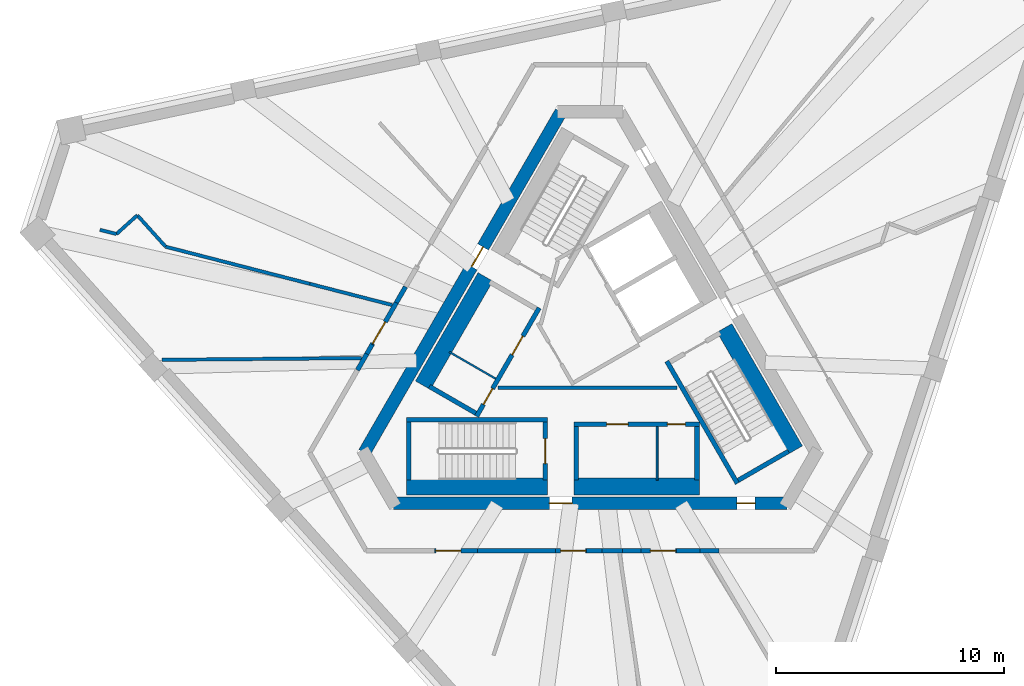
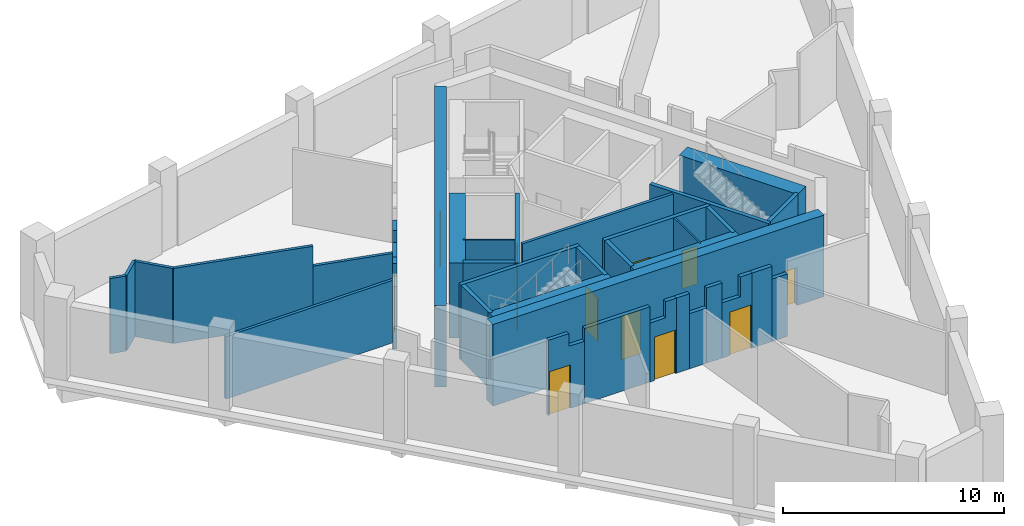
# One storey, part 2 of 5: 38 walls, 12 doors, 12 openings.
"""IFC4 building model written with IfcOpenShell, lengths in metres."""

from ifc_helpers import new_model, si_unit, direction, frame, frame_2d, origin, place, context, subcontext, project, spatial, polyline, rectangle, outline, extrude, material, layer, layer_set, type_object, element, fill, save


model = new_model("IFC4")

# Units and contexts
model_context = context("Model", 3, precision=1e-05, world=origin(), true_north=direction((0.0, 1.0)))
body_context = subcontext(model_context, "Body", "Model", "MODEL_VIEW")
ifc_project = project(units=[si_unit("LENGTHUNIT", "METRE"), si_unit("AREAUNIT", "SQUARE_METRE"), si_unit("VOLUMEUNIT", "CUBIC_METRE"), si_unit("PLANEANGLEUNIT", "RADIAN"), si_unit("MASSUNIT", "GRAM", prefix="KILO")], contexts=[model_context])

# Site, building, storey
site_placement = place(None, origin())
site = spatial("IfcSite", under=ifc_project, at=site_placement, CompositionType="ELEMENT")
building_placement = place(site_placement, origin())
building = spatial("IfcBuilding", under=site, at=building_placement, Name="Tramontana Tower", CompositionType="ELEMENT")
storey_placement = place(building_placement, frame((0.0, 0.0, 365.89990234375)))
storey = spatial("IfcBuildingStorey", under=building, at=storey_placement, Name="L84", CompositionType="ELEMENT", Elevation=365.89990234375)

# Wall, opening, door
ifc_material_1 = material(Name="Concrete 70 MPa", Category="concrete")
ifc_layer_1 = layer(ifc_material_1, 0.550048828125)
ifc_layer_set_1 = layer_set([ifc_layer_1], Name="Core wall 550 70 MPa")
wall_type_1 = type_object("IfcWallType", Name="Core wall 550 70 MPa", PredefinedType="SHEAR", material=ifc_layer_set_1)
wall_1_placement = place(storey_placement, frame((-1.28466796875, 10.72509765625, 0.0), z_axis=(0.0, 0.0, 1.0), x_axis=(-0.499994590896, -0.86602852671, 0.0)))
wall_1 = element("IfcWall", 1, at=wall_1_placement, inside=storey, type_object=wall_type_1, Name="Core wall C1 L84", PredefinedType="SHEAR", context=body_context, shape_type="SweptSolid", body=[
    extrude(rectangle(XDim=17.291748046875, YDim=0.550048828125, at=frame_2d((8.64599609375, 0.0))), origin(), (0.0, 0.0, 1.0), 4.5),
])
opening_1_placement = place(wall_1_placement, frame((6.850830078125, 0.0, 0.0)))
opening_1 = element("IfcOpeningElement", 2, at=opening_1_placement, cuts=wall_1, Name="Opening RG1", PredefinedType="OPENING", context=body_context, shape_type="SweptSolid", body=[
    extrude(rectangle(XDim=1.0, YDim=2.39990234375, at=frame_2d((0.5, 1.199951171875))), frame((0.0, 0.284912109375, 0.0), z_axis=(0.0, -1.0, 0.0), x_axis=(1.0, 0.0, 0.0)), (0.0, 0.0, 1.0), 0.570068359375),
])
ifc_material_2 = material(Name="Painted steel", Category="steel")
door_type_1 = type_object("IfcDoorType", Name="RING DOOR 1000", OperationType="SINGLE_SWING_LEFT", PredefinedType="DOOR", material=ifc_material_2)
door_1_placement = place(opening_1_placement, origin())
door_1 = element("IfcDoor", 3, at=door_1_placement, inside=storey, type_object=door_type_1, Name="Door RG1", OperationType="SINGLE_SWING_RIGHT", OverallHeight=2.39990234375, OverallWidth=1.0, PredefinedType="DOOR", context=body_context, shape_type="SweptSolid", body=[
    extrude(rectangle(XDim=1.0, YDim=2.39990234375, at=frame_2d((0.5, 1.199951171875))), frame((0.0, 0.02490234375, 0.0), z_axis=(0.0, -1.0, 0.0), x_axis=(1.0, 0.0, 0.0)), (0.0, 0.0, 1.0), 0.050048828125),
])
fill(opening_1, door_1)

# Wall, openings, doors
wall_2_placement = place(storey_placement, frame((-8.645751953125, -6.47509765625, 0.0), z_axis=(0.0, 0.0, 1.0), x_axis=(1.0, 0.0, 0.0)))
wall_2 = element("IfcWall", 4, at=wall_2_placement, inside=storey, type_object=wall_type_1, Name="Core wall C3 L84", PredefinedType="SHEAR", context=body_context, shape_type="SweptSolid", body=[
    extrude(rectangle(XDim=17.29150390625, YDim=0.550048828125, at=frame_2d((8.645751953125, 0.0))), origin(), (0.0, 0.0, 1.0), 4.5),
])
opening_2_placement = place(wall_2_placement, frame((6.850830078125, 0.0, 0.0)))
opening_2 = element("IfcOpeningElement", 5, at=opening_2_placement, cuts=wall_2, Name="Opening RG2", PredefinedType="OPENING", context=body_context, shape_type="SweptSolid", body=[
    extrude(rectangle(XDim=1.0, YDim=2.39990234375, at=frame_2d((0.5, 1.199951171875))), frame((0.0, 0.284912109375, 0.0), z_axis=(0.0, -1.0, 0.0), x_axis=(1.0, 0.0, 0.0)), (0.0, 0.0, 1.0), 0.570068359375),
])
opening_3_placement = place(wall_2_placement, frame((15.088623046875, 0.0, 0.0)))
opening_3 = element("IfcOpeningElement", 6, at=opening_3_placement, cuts=wall_2, Name="Opening PD2", PredefinedType="OPENING", context=body_context, shape_type="SweptSolid", body=[
    extrude(rectangle(XDim=0.800048828125, YDim=2.10009765625, at=frame_2d((0.39990234375, 1.050048828125))), frame((0.0, 0.284912109375, 0.0), z_axis=(0.0, -1.0, 0.0), x_axis=(1.0, 0.0, 0.0)), (0.0, 0.0, 1.0), 0.570068359375),
])
ifc_material_3 = material(Name="Painted steel", Category="steel")
door_type_2 = type_object("IfcDoorType", Name="CUPBOARD DOOR 800", OperationType="SINGLE_SWING_LEFT", PredefinedType="DOOR", material=ifc_material_3)
door_2_placement = place(opening_3_placement, origin())
door_2 = element("IfcDoor", 7, at=door_2_placement, inside=storey, type_object=door_type_2, Name="Door PD2", OperationType="SINGLE_SWING_LEFT", OverallHeight=2.10009765625, OverallWidth=0.800048828125, PredefinedType="DOOR", context=body_context, shape_type="SweptSolid", body=[
    extrude(rectangle(XDim=0.800048828125, YDim=2.10009765625, at=frame_2d((0.39990234375, 1.050048828125))), frame((0.0, 0.02490234375, 0.0), z_axis=(0.0, -1.0, 0.0), x_axis=(1.0, 0.0, 0.0)), (0.0, 0.0, 1.0), 0.050048828125),
])
fill(opening_3, door_2)
door_3_placement = place(opening_2_placement, origin())
door_3 = element("IfcDoor", 8, at=door_3_placement, inside=storey, type_object=door_type_1, Name="Door RG2", OperationType="SINGLE_SWING_LEFT", OverallHeight=2.39990234375, OverallWidth=1.0, PredefinedType="DOOR", context=body_context, shape_type="SweptSolid", body=[
    extrude(rectangle(XDim=1.0, YDim=2.39990234375, at=frame_2d((0.5, 1.199951171875))), frame((0.0, 0.02490234375, 0.0), z_axis=(0.0, -1.0, 0.0), x_axis=(1.0, 0.0, 0.0)), (0.0, 0.0, 1.0), 0.050048828125),
])
fill(opening_2, door_3)

# Walls
ifc_material_4 = material(Name="Blockwork", Category="masonry")
ifc_layer_2 = layer(ifc_material_4, 0.199951171875)
ifc_layer_set_2 = layer_set([ifc_layer_2], Name="ENTRY WALL 200")
wall_type_2 = type_object("IfcWallType", Name="ENTRY WALL 200", PredefinedType="SOLIDWALL", material=ifc_layer_set_2)
wall_3_placement = place(storey_placement, frame((5.6494140625, -8.550048828125, 0.0), z_axis=(0.0, 0.0, 1.0), x_axis=(-1.0, 0.0, 0.0)))
element("IfcWall", 9, at=wall_3_placement, inside=storey, type_object=wall_type_2, Name="Wall ew1-1", PredefinedType="SOLIDWALL", context=body_context, shape_type="SweptSolid", body=[
    extrude(rectangle(XDim=0.821044921875, YDim=0.199951171875, at=frame_2d((0.41064453125, 0.0))), origin(), (0.0, 0.0, 1.0), 3.4501953125),
])
wall_4_placement = place(storey_placement, frame((4.828369140625, -8.550048828125, 0.0), z_axis=(0.0, 0.0, 1.0), x_axis=(-1.0, 0.0, 0.0)))
element("IfcWall", 10, at=wall_4_placement, inside=storey, type_object=wall_type_2, Name="Wall ew1-2", PredefinedType="SOLIDWALL", context=body_context, shape_type="SweptSolid", body=[
    extrude(rectangle(XDim=1.0380859375, YDim=0.199951171875, at=frame_2d((0.51904296875, 0.0))), origin(), (0.0, 0.0, 1.0), 4.150146484375),
])

# Wall, opening, door
wall_5_placement = place(storey_placement, frame((3.790283203125, -8.550048828125, 0.0), z_axis=(0.0, 0.0, 1.0), x_axis=(-1.0, 0.0, 0.0)))
wall_5 = element("IfcWall", 11, at=wall_5_placement, inside=storey, type_object=wall_type_2, Name="Wall ew1-3", PredefinedType="SOLIDWALL", context=body_context, shape_type="SweptSolid", body=[
    extrude(outline(polyline([(0.0, 0.0), (1.561279296875, 0.0), (1.561279296875, 3.050048828125), (0.617431640625, 3.050048828125), (0.617431640625, 4.150146484375), (0.0, 4.150146484375), (0.0, 0.0)])), frame((0.0, 0.10009765625, 0.0), z_axis=(0.0, -1.0, 0.0), x_axis=(1.0, 0.0, 0.0)), (0.0, 0.0, 1.0), 0.199951171875),
])
opening_4_placement = place(wall_5_placement, frame((0.050048828125, 0.0, 0.0)))
opening_4 = element("IfcOpeningElement", 12, at=opening_4_placement, cuts=wall_5, Name="Opening L84-07", PredefinedType="OPENING", context=body_context, shape_type="SweptSolid", body=[
    extrude(rectangle(XDim=1.10009765625, YDim=2.39990234375, at=frame_2d((0.550048828125, 1.199951171875))), frame((0.0, 0.10986328125, 0.0), z_axis=(0.0, -1.0, 0.0), x_axis=(1.0, 0.0, 0.0)), (0.0, 0.0, 1.0), 0.219970703125),
])
ifc_material_5 = material(Name="Painted timber", Category="wood")
door_type_3 = type_object("IfcDoorType", Name="DOOR ENTRY 1100", OperationType="SINGLE_SWING_LEFT", PredefinedType="DOOR", material=ifc_material_5)
door_4_placement = place(opening_4_placement, origin())
door_4 = element("IfcDoor", 13, at=door_4_placement, inside=storey, type_object=door_type_3, Name="Door L84-07", OperationType="SINGLE_SWING_LEFT", OverallHeight=2.39990234375, OverallWidth=1.10009765625, PredefinedType="DOOR", context=body_context, shape_type="SweptSolid", body=[
    extrude(rectangle(XDim=1.10009765625, YDim=2.39990234375, at=frame_2d((0.550048828125, 1.199951171875))), frame((0.0, 0.02490234375, 0.0), z_axis=(0.0, -1.0, 0.0), x_axis=(1.0, 0.0, 0.0)), (0.0, 0.0, 1.0), 0.050048828125),
])
fill(opening_4, door_4)

# Walls
wall_6_placement = place(storey_placement, frame((2.22900390625, -8.550048828125, 0.0), z_axis=(0.0, 0.0, 1.0), x_axis=(-1.0, 0.0, 0.0)))
element("IfcWall", 14, at=wall_6_placement, inside=storey, type_object=wall_type_2, Name="Wall ew1-4", PredefinedType="SOLIDWALL", context=body_context, shape_type="SweptSolid", body=[
    extrude(rectangle(XDim=0.806640625, YDim=0.199951171875, at=frame_2d((0.4033203125, 0.0))), origin(), (0.0, 0.0, 1.0), 4.150146484375),
])
wall_7_placement = place(storey_placement, frame((1.42236328125, -8.550048828125, 0.0), z_axis=(0.0, 0.0, 1.0), x_axis=(-1.0, 0.0, 0.0)))
element("IfcWall", 15, at=wall_7_placement, inside=storey, type_object=wall_type_2, Name="Wall ew1-5", PredefinedType="SOLIDWALL", context=body_context, shape_type="SweptSolid", body=[
    extrude(rectangle(XDim=0.90576171875, YDim=0.199951171875, at=frame_2d((0.452880859375, 0.0))), origin(), (0.0, 0.0, 1.0), 3.050048828125),
])
wall_8_placement = place(storey_placement, frame((0.5166015625, -8.550048828125, 0.0), z_axis=(0.0, 0.0, 1.0), x_axis=(-1.0, 0.0, 0.0)))
element("IfcWall", 16, at=wall_8_placement, inside=storey, type_object=wall_type_2, Name="Wall ew1-6", PredefinedType="SOLIDWALL", context=body_context, shape_type="SweptSolid", body=[
    extrude(rectangle(XDim=0.67138671875, YDim=0.199951171875, at=frame_2d((0.335693359375, 0.0))), origin(), (0.0, 0.0, 1.0), 4.150146484375),
])

# Wall, opening, door
wall_9_placement = place(storey_placement, frame((-0.15478515625, -8.550048828125, 0.0), z_axis=(0.0, 0.0, 1.0), x_axis=(-1.0, 0.0, 0.0)))
wall_9 = element("IfcWall", 17, at=wall_9_placement, inside=storey, type_object=wall_type_2, Name="Wall ew1-7", PredefinedType="SOLIDWALL", context=body_context, shape_type="SweptSolid", body=[
    extrude(outline(polyline([(0.0, 0.0), (1.373779296875, 0.0), (1.373779296875, 3.25), (0.56689453125, 3.25), (0.56689453125, 4.150146484375), (0.0, 4.150146484375), (0.0, 0.0)])), frame((0.0, 0.10009765625, 0.0), z_axis=(0.0, -1.0, 0.0), x_axis=(1.0, 0.0, 0.0)), (0.0, 0.0, 1.0), 0.199951171875),
])
opening_5_placement = place(wall_9_placement, frame((0.050048828125, 0.0, 0.0)))
opening_5 = element("IfcOpeningElement", 18, at=opening_5_placement, cuts=wall_9, Name="Opening L84-06", PredefinedType="OPENING", context=body_context, shape_type="SweptSolid", body=[
    extrude(rectangle(XDim=1.10009765625, YDim=2.39990234375, at=frame_2d((0.550048828125, 1.199951171875))), frame((0.0, 0.10986328125, 0.0), z_axis=(0.0, -1.0, 0.0), x_axis=(1.0, 0.0, 0.0)), (0.0, 0.0, 1.0), 0.219970703125),
])
door_5_placement = place(opening_5_placement, origin())
door_5 = element("IfcDoor", 19, at=door_5_placement, inside=storey, type_object=door_type_3, Name="Door L84-06", OperationType="SINGLE_SWING_RIGHT", OverallHeight=2.39990234375, OverallWidth=1.10009765625, PredefinedType="DOOR", context=body_context, shape_type="SweptSolid", body=[
    extrude(rectangle(XDim=1.10009765625, YDim=2.39990234375, at=frame_2d((0.550048828125, 1.199951171875))), frame((0.0, 0.02490234375, 0.0), z_axis=(0.0, -1.0, 0.0), x_axis=(1.0, 0.0, 0.0)), (0.0, 0.0, 1.0), 0.050048828125),
])
fill(opening_5, door_5)

# Wall
wall_10_placement = place(storey_placement, frame((-1.528564453125, -8.550048828125, 0.0), z_axis=(0.0, 0.0, 1.0), x_axis=(-1.0, 0.0, 0.0)))
element("IfcWall", 20, at=wall_10_placement, inside=storey, type_object=wall_type_2, Name="Wall ew1-8", PredefinedType="SOLIDWALL", context=body_context, shape_type="SweptSolid", body=[
    extrude(rectangle(XDim=3.423095703125, YDim=0.199951171875, at=frame_2d((1.71142578125, 0.0))), origin(), (0.0, 0.0, 1.0), 4.150146484375),
])

# Wall, opening, door
wall_11_placement = place(storey_placement, frame((-6.837646484375, -8.550048828125, 0.0), z_axis=(0.0, 0.0, 1.0), x_axis=(1.0, 0.0, 0.0)))
wall_11 = element("IfcWall", 21, at=wall_11_placement, inside=storey, type_object=wall_type_2, Name="Wall ew1-9", PredefinedType="SOLIDWALL", context=body_context, shape_type="SweptSolid", body=[
    extrude(outline(polyline([(0.0, 0.0), (1.885986328125, 0.0), (1.885986328125, 3.4501953125), (1.0595703125, 3.4501953125), (1.0595703125, 4.150146484375), (0.0, 4.150146484375), (0.0, 0.0)])), frame((0.0, 0.10009765625, 0.0), z_axis=(0.0, -1.0, 0.0), x_axis=(1.0, 0.0, 0.0)), (0.0, 0.0, 1.0), 0.199951171875),
])
opening_6_placement = place(wall_11_placement, frame((0.050048828125, 0.0, 0.0)))
opening_6 = element("IfcOpeningElement", 22, at=opening_6_placement, cuts=wall_11, Name="Opening L84-05", PredefinedType="OPENING", context=body_context, shape_type="SweptSolid", body=[
    extrude(rectangle(XDim=1.10009765625, YDim=2.39990234375, at=frame_2d((0.550048828125, 1.199951171875))), frame((0.0, 0.10986328125, 0.0), z_axis=(0.0, -1.0, 0.0), x_axis=(1.0, 0.0, 0.0)), (0.0, 0.0, 1.0), 0.219970703125),
])
door_6_placement = place(opening_6_placement, origin())
door_6 = element("IfcDoor", 23, at=door_6_placement, inside=storey, type_object=door_type_3, Name="Door L84-05", OperationType="SINGLE_SWING_LEFT", OverallHeight=2.39990234375, OverallWidth=1.10009765625, PredefinedType="DOOR", context=body_context, shape_type="SweptSolid", body=[
    extrude(rectangle(XDim=1.10009765625, YDim=2.39990234375, at=frame_2d((0.550048828125, 1.199951171875))), frame((0.0, 0.02490234375, 0.0), z_axis=(0.0, -1.0, 0.0), x_axis=(1.0, 0.0, 0.0)), (0.0, 0.0, 1.0), 0.050048828125),
])
fill(opening_6, door_6)

# Walls
wall_12_placement = place(storey_placement, frame((-10.229248046875, -0.617431640625, 0.0), z_axis=(0.0, 0.0, 1.0), x_axis=(0.5001686003, 0.865928040471, 0.0)))
element("IfcWall", 24, at=wall_12_placement, inside=storey, type_object=wall_type_2, Name="Wall ew3-1", PredefinedType="SOLIDWALL", context=body_context, shape_type="SweptSolid", body=[
    extrude(rectangle(XDim=0.821044921875, YDim=0.199951171875, at=frame_2d((0.41064453125, 0.0))), origin(), (0.0, 0.0, 1.0), 3.4501953125),
])
wall_13_placement = place(storey_placement, frame((-9.818603515625, 0.093505859375, 0.0), z_axis=(0.0, 0.0, 1.0), x_axis=(0.500003887042, 0.866023159588, 0.0)))
element("IfcWall", 25, at=wall_13_placement, inside=storey, type_object=wall_type_2, Name="Wall ew3-2", PredefinedType="SOLIDWALL", context=body_context, shape_type="SweptSolid", body=[
    extrude(rectangle(XDim=0.4755859375, YDim=0.199951171875, at=frame_2d((0.23779296875, 0.0))), origin(), (0.0, 0.0, 1.0), 4.150146484375),
])

# Wall, opening, door
wall_14_placement = place(storey_placement, frame((-9.580810546875, 0.50537109375, 0.0), z_axis=(0.0, 0.0, 1.0), x_axis=(0.499984515995, 0.866034343295, 0.0)))
wall_14 = element("IfcWall", 26, at=wall_14_placement, inside=storey, type_object=wall_type_2, Name="Wall ew3-3", PredefinedType="SOLIDWALL", context=body_context, shape_type="SweptSolid", body=[
    extrude(outline(polyline([(0.0, 0.0), (2.12353515625, 0.0), (2.123779296875, 3.050048828125), (1.179931640625, 3.050048828125), (1.179931640625, 4.150146484375), (0.0, 4.150146484375), (0.0, 0.0)])), frame((0.0, 0.10009765625, 0.0), z_axis=(0.0, -1.0, 0.0), x_axis=(1.0, 0.0, 0.0)), (0.0, 0.0, 1.0), 0.199951171875),
])
opening_7_placement = place(wall_14_placement, frame((0.050048828125, 0.0, 0.0)))
opening_7 = element("IfcOpeningElement", 27, at=opening_7_placement, cuts=wall_14, Name="Opening L84-04", PredefinedType="OPENING", context=body_context, shape_type="SweptSolid", body=[
    extrude(rectangle(XDim=1.10009765625, YDim=2.39990234375, at=frame_2d((0.550048828125, 1.199951171875))), frame((0.0, 0.10986328125, 0.0), z_axis=(0.0, -1.0, 0.0), x_axis=(1.0, 0.0, 0.0)), (0.0, 0.0, 1.0), 0.219970703125),
])
door_7_placement = place(opening_7_placement, origin())
door_7 = element("IfcDoor", 28, at=door_7_placement, inside=storey, type_object=door_type_3, Name="Door L84-04", OperationType="SINGLE_SWING_RIGHT", OverallHeight=2.39990234375, OverallWidth=1.10009765625, PredefinedType="DOOR", context=body_context, shape_type="SweptSolid", body=[
    extrude(rectangle(XDim=1.10009765625, YDim=2.39990234375, at=frame_2d((0.550048828125, 1.199951171875))), frame((0.0, 0.02490234375, 0.0), z_axis=(0.0, -1.0, 0.0), x_axis=(1.0, 0.0, 0.0)), (0.0, 0.0, 1.0), 0.050048828125),
])
fill(opening_7, door_7)

# Walls
wall_15_placement = place(storey_placement, frame((-8.51904296875, 2.344482421875, 0.0), z_axis=(0.0, 0.0, 1.0), x_axis=(0.499914554297, 0.866074730264, 0.0)))
element("IfcWall", 29, at=wall_15_placement, inside=storey, type_object=wall_type_2, Name="Wall ew3-4", PredefinedType="SOLIDWALL", context=body_context, shape_type="SweptSolid", body=[
    extrude(rectangle(XDim=0.806884765625, YDim=0.199951171875, at=frame_2d((0.4033203125, 0.0))), origin(), (0.0, 0.0, 1.0), 4.150146484375),
])
ifc_material_6 = material(Name="Gypsum board partition")
ifc_layer_3 = layer(ifc_material_6, 0.14990234375)
ifc_layer_set_3 = layer_set([ifc_layer_3], Name="PARTITION 150")
wall_type_3 = type_object("IfcWallType", Name="PARTITION 150", PredefinedType="PARTITIONING", material=ifc_layer_set_3)
wall_16_placement = place(storey_placement, frame((-4.053466796875, -1.39990234375, 0.0), z_axis=(0.0, 0.0, 1.0), x_axis=(1.0, 0.0, 0.0)))
element("IfcWall", 30, at=wall_16_placement, inside=storey, type_object=wall_type_3, Name="Wall hub-cut1", PredefinedType="PARTITIONING", context=body_context, shape_type="SweptSolid", body=[
    extrude(rectangle(XDim=7.8759765625, YDim=0.14990234375, at=frame_2d((3.93798828125, 0.0))), origin(), (0.0, 0.0, 1.0), 4.150146484375),
])
wall_17_placement = place(storey_placement, frame((-20.81787109375, 5.360595703125, 0.0), z_axis=(0.0, 0.0, 1.0), x_axis=(-0.968404914067, 0.24938308365, 0.0)))
element("IfcWall", 31, at=wall_17_placement, inside=storey, type_object=wall_type_3, Name="Wall fw-pw00", PredefinedType="PARTITIONING", context=body_context, shape_type="SweptSolid", body=[
    extrude(rectangle(XDim=0.74609375, YDim=0.14990234375, at=frame_2d((0.373046875, 0.0))), origin(), (0.0, 0.0, 1.0), 4.150146484375),
])
wall_18_placement = place(storey_placement, frame((-19.90234375, 6.184814453125, 0.0), z_axis=(0.0, 0.0, 1.0), x_axis=(-0.74319559291, -0.669074219111, 0.0)))
element("IfcWall", 32, at=wall_18_placement, inside=storey, type_object=wall_type_3, Name="Wall fw-pw01", PredefinedType="PARTITIONING", context=body_context, shape_type="SweptSolid", body=[
    extrude(rectangle(XDim=1.23193359375, YDim=0.14990234375, at=frame_2d((0.615966796875, 0.0))), origin(), (0.0, 0.0, 1.0), 4.150146484375),
])
wall_19_placement = place(storey_placement, frame((-18.65625, 4.803955078125, 0.0), z_axis=(0.0, 0.0, 1.0), x_axis=(-0.669080876775, 0.743189599183, 0.0)))
element("IfcWall", 33, at=wall_19_placement, inside=storey, type_object=wall_type_3, Name="Wall fw-pw02", PredefinedType="PARTITIONING", context=body_context, shape_type="SweptSolid", body=[
    extrude(rectangle(XDim=1.85791015625, YDim=0.14990234375, at=frame_2d((0.928955078125, 0.0))), origin(), (0.0, 0.0, 1.0), 4.150146484375),
])
wall_20_placement = place(storey_placement, frame((-10.039794921875, -0.089111328125, 0.0), z_axis=(0.0, 0.0, 1.0), x_axis=(-0.999960441248, -0.00889471414, 0.0)))
element("IfcWall", 34, at=wall_20_placement, inside=storey, type_object=wall_type_3, Name="Wall fw-pw04-0", PredefinedType="PARTITIONING", context=body_context, shape_type="SweptSolid", body=[
    extrude(rectangle(XDim=8.783203125, YDim=0.14990234375, at=frame_2d((4.3916015625, 0.0))), origin(), (0.0, 0.0, 1.0), 3.4501953125),
])
wall_21_placement = place(storey_placement, frame((-8.695556640625, 2.239013671875, 0.0), z_axis=(0.0, 0.0, 1.0), x_axis=(-0.968413242645, 0.249350739864, 0.0)))
element("IfcWall", 35, at=wall_21_placement, inside=storey, type_object=wall_type_3, Name="Wall fw-pw05-0", PredefinedType="PARTITIONING", context=body_context, shape_type="SweptSolid", body=[
    extrude(rectangle(XDim=3.7392578125, YDim=0.14990234375, at=frame_2d((1.86962890625, 0.0))), origin(), (0.0, 0.0, 1.0), 3.050048828125),
])
wall_22_placement = place(storey_placement, frame((-12.316650390625, 3.17138671875, 0.0), z_axis=(0.0, 0.0, 1.0), x_axis=(-0.968404977987, 0.249382835437, 0.0)))
element("IfcWall", 36, at=wall_22_placement, inside=storey, type_object=wall_type_3, Name="Wall fw-pw05-1", PredefinedType="PARTITIONING", context=body_context, shape_type="SweptSolid", body=[
    extrude(rectangle(XDim=6.54638671875, YDim=0.14990234375, at=frame_2d((3.273193359375, 0.0))), origin(), (0.0, 0.0, 1.0), 4.150146484375),
])
ifc_material_7 = material(Name="Gypsum board partition")
ifc_layer_4 = layer(ifc_material_7, 0.080078125)
ifc_layer_set_4 = layer_set([ifc_layer_4], Name="PARTITION 80")
wall_type_4 = type_object("IfcWallType", Name="PARTITION 80", PredefinedType="PARTITIONING", material=ifc_layer_set_4)
wall_23_placement = place(storey_placement, frame((-4.15478515625, -0.99609375, 0.0), z_axis=(0.0, 0.0, 1.0), x_axis=(-0.866016039709, 0.500016218704, 0.0)))
element("IfcWall", 37, at=wall_23_placement, inside=storey, type_object=wall_type_4, Name="Wall row0-split", PredefinedType="PARTITIONING", context=body_context, shape_type="SweptSolid", body=[
    extrude(rectangle(XDim=2.35009765625, YDim=0.080078125, at=frame_2d((1.175048828125, 0.0))), origin(), (0.0, 0.0, 1.0), 4.150146484375),
])
wall_24_placement = place(storey_placement, frame((2.93994140625, -3.10009765625, 0.0), z_axis=(0.0, 0.0, 1.0), x_axis=(0.0, -1.0, 0.0)))
element("IfcWall", 38, at=wall_24_placement, inside=storey, type_object=wall_type_4, Name="Wall row1-split", PredefinedType="PARTITIONING", context=body_context, shape_type="SweptSolid", body=[
    extrude(rectangle(XDim=2.349853515625, YDim=0.080078125, at=frame_2d((1.1748046875, 0.0))), origin(), (0.0, 0.0, 1.0), 4.150146484375),
])
ifc_material_8 = material(Name="Concrete 70 MPa", Category="concrete")
ifc_layer_5 = layer(ifc_material_8, 0.75)
ifc_layer_set_5 = layer_set([ifc_layer_5], Name="Concrete 70 MPa, 750 mm")
wall_type_5 = type_object("IfcWallType", Name="RC SHAFT BACK WALL 750", PredefinedType="SOLIDWALL", material=ifc_layer_set_5)
wall_25_placement = place(storey_placement, frame((-8.080078125, -5.72509765625, 0.0), z_axis=(0.0, 0.0, 1.0), x_axis=(1.0, 0.0, 0.0)))
element("IfcWall", 39, at=wall_25_placement, inside=storey, type_object=wall_type_5, Name="Wall st2-back", PredefinedType="SOLIDWALL", context=body_context, shape_type="SweptSolid", body=[
    extrude(rectangle(XDim=6.2001953125, YDim=0.75, at=frame_2d((3.10009765625, 0.0))), origin(), (0.0, 0.0, 1.0), 4.150146484375),
])
wall_26_placement = place(storey_placement, frame((8.998046875, -4.135009765625, 0.0), z_axis=(0.0, 0.0, 1.0), x_axis=(-0.500009909098, 0.866019682689, 0.0)))
element("IfcWall", 40, at=wall_26_placement, inside=storey, type_object=wall_type_5, Name="Wall st3-back", PredefinedType="SOLIDWALL", context=body_context, shape_type="SweptSolid", body=[
    extrude(rectangle(XDim=6.199951171875, YDim=0.75, at=frame_2d((3.10009765625, 0.0))), origin(), (0.0, 0.0, 1.0), 4.150146484375),
])
wall_27_placement = place(storey_placement, frame((-4.60302734375, 3.477294921875, 0.0), z_axis=(0.0, 0.0, 1.0), x_axis=(-0.500015767406, -0.866016300277, 0.0)))
element("IfcWall", 41, at=wall_27_placement, inside=storey, type_object=wall_type_5, Name="Wall row0-back", PredefinedType="SOLIDWALL", context=body_context, shape_type="SweptSolid", body=[
    extrude(rectangle(XDim=5.499755859375, YDim=0.75, at=frame_2d((2.75, 0.0))), origin(), (0.0, 0.0, 1.0), 4.150146484375),
])
wall_28_placement = place(storey_placement, frame((-0.7099609375, -5.72509765625, 0.0), z_axis=(0.0, 0.0, 1.0), x_axis=(1.0, 0.0, 0.0)))
element("IfcWall", 42, at=wall_28_placement, inside=storey, type_object=wall_type_5, Name="Wall row1-back", PredefinedType="SOLIDWALL", context=body_context, shape_type="SweptSolid", body=[
    extrude(rectangle(XDim=5.5, YDim=0.75, at=frame_2d((2.75, 0.0))), origin(), (0.0, 0.0, 1.0), 4.150146484375),
])
ifc_material_9 = material(Name="Concrete 70 MPa", Category="concrete")
ifc_layer_6 = layer(ifc_material_9, 0.199951171875)
ifc_layer_set_6 = layer_set([ifc_layer_6], Name="Concrete 70 MPa, 200 mm")
wall_type_6 = type_object("IfcWallType", Name="RC STAIR AND SHAFT WALL 200", PredefinedType="SOLIDWALL", material=ifc_layer_set_6)
wall_29_placement = place(storey_placement, frame((-8.080078125, -2.800048828125, 0.0), z_axis=(0.0, 0.0, 1.0), x_axis=(1.0, 0.0, 0.0)))
element("IfcWall", 43, at=wall_29_placement, inside=storey, type_object=wall_type_6, Name="Wall st2-front", PredefinedType="SOLIDWALL", context=body_context, shape_type="SweptSolid", body=[
    extrude(rectangle(XDim=6.2001953125, YDim=0.199951171875, at=frame_2d((3.10009765625, 0.0))), origin(), (0.0, 0.0, 1.0), 4.150146484375),
])
wall_30_placement = place(storey_placement, frame((-7.97998046875, -2.89990234375, 0.0), z_axis=(0.0, 0.0, 1.0), x_axis=(0.0, -1.0, 0.0)))
element("IfcWall", 44, at=wall_30_placement, inside=storey, type_object=wall_type_6, Name="Wall st2-far", PredefinedType="SOLIDWALL", context=body_context, shape_type="SweptSolid", body=[
    extrude(rectangle(XDim=2.550048828125, YDim=0.199951171875, at=frame_2d((1.27490234375, 0.0))), origin(), (0.0, 0.0, 1.0), 4.150146484375),
])

# Wall, opening, door
wall_31_placement = place(storey_placement, frame((-1.97998046875, -2.89990234375, 0.0), z_axis=(0.0, 0.0, 1.0), x_axis=(0.0, -1.0, 0.0)))
wall_31 = element("IfcWall", 45, at=wall_31_placement, inside=storey, type_object=wall_type_6, Name="Wall st2-near", PredefinedType="SOLIDWALL", context=body_context, shape_type="SweptSolid", body=[
    extrude(rectangle(XDim=2.550048828125, YDim=0.199951171875, at=frame_2d((1.27490234375, 0.0))), origin(), (0.0, 0.0, 1.0), 4.150146484375),
])
opening_8_placement = place(wall_31_placement, frame((0.72509765625, 0.0, 0.0)))
opening_8 = element("IfcOpeningElement", 46, at=opening_8_placement, cuts=wall_31, Name="Opening SD2", PredefinedType="OPENING", context=body_context, shape_type="SweptSolid", body=[
    extrude(rectangle(XDim=1.10009765625, YDim=2.39990234375, at=frame_2d((0.550048828125, 1.199951171875))), frame((0.0, 0.10986328125, 0.0), z_axis=(0.0, -1.0, 0.0), x_axis=(1.0, 0.0, 0.0)), (0.0, 0.0, 1.0), 0.219970703125),
])
ifc_material_10 = material(Name="Painted steel", Category="steel")
door_type_4 = type_object("IfcDoorType", Name="STAIR DOOR 1100", OperationType="SINGLE_SWING_LEFT", PredefinedType="DOOR", material=ifc_material_10)
door_8_placement = place(opening_8_placement, origin())
door_8 = element("IfcDoor", 47, at=door_8_placement, inside=storey, type_object=door_type_4, Name="Door SD2", OperationType="SINGLE_SWING_LEFT", OverallHeight=2.39990234375, OverallWidth=1.10009765625, PredefinedType="DOOR", context=body_context, shape_type="SweptSolid", body=[
    extrude(rectangle(XDim=1.10009765625, YDim=2.39990234375, at=frame_2d((0.550048828125, 1.199951171875))), frame((0.0, 0.02490234375, 0.0), z_axis=(0.0, -1.0, 0.0), x_axis=(1.0, 0.0, 0.0)), (0.0, 0.0, 1.0), 0.050048828125),
])
fill(opening_8, door_8)

# Walls
wall_32_placement = place(storey_placement, frame((6.46484375, -5.597412109375, 0.0), z_axis=(0.0, 0.0, 1.0), x_axis=(-0.49998037582, 0.866036733513, 0.0)))
element("IfcWall", 48, at=wall_32_placement, inside=storey, type_object=wall_type_6, Name="Wall st3-front", PredefinedType="SOLIDWALL", context=body_context, shape_type="SweptSolid", body=[
    extrude(rectangle(XDim=6.199951171875, YDim=0.199951171875, at=frame_2d((3.10009765625, 0.0))), origin(), (0.0, 0.0, 1.0), 4.150146484375),
])
wall_33_placement = place(storey_placement, frame((6.50146484375, -5.4609375, 0.0), z_axis=(0.0, 0.0, 1.0), x_axis=(0.865989465428, 0.500062241894, 0.0)))
element("IfcWall", 49, at=wall_33_placement, inside=storey, type_object=wall_type_6, Name="Wall st3-far", PredefinedType="SOLIDWALL", context=body_context, shape_type="SweptSolid", body=[
    extrude(rectangle(XDim=2.550048828125, YDim=0.199951171875, at=frame_2d((1.27490234375, 0.0))), origin(), (0.0, 0.0, 1.0), 4.150146484375),
])

# Wall, openings, doors
wall_34_placement = place(storey_placement, frame((-4.9931640625, -2.648193359375, 0.0), z_axis=(0.0, 0.0, 1.0), x_axis=(0.499996545922, 0.866027397988, 0.0)))
wall_34 = element("IfcWall", 50, at=wall_34_placement, inside=storey, type_object=wall_type_6, Name="Wall row0-front", PredefinedType="SOLIDWALL", context=body_context, shape_type="SweptSolid", body=[
    extrude(rectangle(XDim=5.5, YDim=0.199951171875, at=frame_2d((2.75, 0.0))), origin(), (0.0, 0.0, 1.0), 4.150146484375),
])
opening_9_placement = place(wall_34_placement, frame((3.1201171875, 0.0, 0.0)))
opening_9 = element("IfcOpeningElement", 51, at=opening_9_placement, cuts=wall_34, Name="Opening RD-0A", PredefinedType="OPENING", context=body_context, shape_type="SweptSolid", body=[
    extrude(rectangle(XDim=0.949951171875, YDim=2.39990234375, at=frame_2d((0.47509765625, 1.199951171875))), frame((0.0, 0.10986328125, 0.0), z_axis=(0.0, -1.0, 0.0), x_axis=(1.0, 0.0, 0.0)), (0.0, 0.0, 1.0), 0.219970703125),
])
opening_10_placement = place(wall_34_placement, frame((0.60498046875, 0.0, 0.0)))
opening_10 = element("IfcOpeningElement", 52, at=opening_10_placement, cuts=wall_34, Name="Opening RD-0B", PredefinedType="OPENING", context=body_context, shape_type="SweptSolid", body=[
    extrude(rectangle(XDim=0.800048828125, YDim=2.10009765625, at=frame_2d((0.39990234375, 1.050048828125))), frame((0.0, 0.10986328125, 0.0), z_axis=(0.0, -1.0, 0.0), x_axis=(1.0, 0.0, 0.0)), (0.0, 0.0, 1.0), 0.219970703125),
])
door_9_placement = place(opening_10_placement, origin())
door_9 = element("IfcDoor", 53, at=door_9_placement, inside=storey, type_object=door_type_2, Name="Door RD-0B", OperationType="SINGLE_SWING_RIGHT", OverallHeight=2.10009765625, OverallWidth=0.800048828125, PredefinedType="DOOR", context=body_context, shape_type="SweptSolid", body=[
    extrude(rectangle(XDim=0.800048828125, YDim=2.10009765625, at=frame_2d((0.39990234375, 1.050048828125))), frame((0.0, 0.02490234375, 0.0), z_axis=(0.0, -1.0, 0.0), x_axis=(1.0, 0.0, 0.0)), (0.0, 0.0, 1.0), 0.050048828125),
])
fill(opening_10, door_9)
ifc_material_11 = material(Name="Painted timber", Category="wood")
door_type_5 = type_object("IfcDoorType", Name="DOOR ROOM 950", OperationType="SINGLE_SWING_LEFT", PredefinedType="DOOR", material=ifc_material_11)
door_10_placement = place(opening_9_placement, origin())
door_10 = element("IfcDoor", 54, at=door_10_placement, inside=storey, type_object=door_type_5, Name="Door RD-0A", OperationType="SINGLE_SWING_LEFT", OverallHeight=2.39990234375, OverallWidth=0.949951171875, PredefinedType="DOOR", context=body_context, shape_type="SweptSolid", body=[
    extrude(rectangle(XDim=0.949951171875, YDim=2.39990234375, at=frame_2d((0.47509765625, 1.199951171875))), frame((0.0, 0.02490234375, 0.0), z_axis=(0.0, -1.0, 0.0), x_axis=(1.0, 0.0, 0.0)), (0.0, 0.0, 1.0), 0.050048828125),
])
fill(opening_9, door_10)

# Wall
wall_35_placement = place(storey_placement, frame((-5.02978515625, -2.51171875, 0.0), z_axis=(0.0, 0.0, 1.0), x_axis=(-0.866016039709, 0.500016218704, 0.0)))
element("IfcWall", 55, at=wall_35_placement, inside=storey, type_object=wall_type_6, Name="Wall row0-side2", PredefinedType="SOLIDWALL", context=body_context, shape_type="SweptSolid", body=[
    extrude(rectangle(XDim=2.35009765625, YDim=0.199951171875, at=frame_2d((1.175048828125, 0.0))), origin(), (0.0, 0.0, 1.0), 4.150146484375),
])

# Wall, openings, doors
wall_36_placement = place(storey_placement, frame((4.7900390625, -3.0, 0.0), z_axis=(0.0, 0.0, 1.0), x_axis=(-1.0, 0.0, 0.0)))
wall_36 = element("IfcWall", 56, at=wall_36_placement, inside=storey, type_object=wall_type_6, Name="Wall row1-front", PredefinedType="SOLIDWALL", context=body_context, shape_type="SweptSolid", body=[
    extrude(rectangle(XDim=5.5, YDim=0.199951171875, at=frame_2d((2.75, 0.0))), origin(), (0.0, 0.0, 1.0), 4.150146484375),
])
opening_11_placement = place(wall_36_placement, frame((3.1201171875, 0.0, 0.0)))
opening_11 = element("IfcOpeningElement", 57, at=opening_11_placement, cuts=wall_36, Name="Opening RD-1A", PredefinedType="OPENING", context=body_context, shape_type="SweptSolid", body=[
    extrude(rectangle(XDim=0.949951171875, YDim=2.39990234375, at=frame_2d((0.47509765625, 1.199951171875))), frame((0.0, 0.10986328125, 0.0), z_axis=(0.0, -1.0, 0.0), x_axis=(1.0, 0.0, 0.0)), (0.0, 0.0, 1.0), 0.219970703125),
])
opening_12_placement = place(wall_36_placement, frame((0.60498046875, 0.0, 0.0)))
opening_12 = element("IfcOpeningElement", 58, at=opening_12_placement, cuts=wall_36, Name="Opening RD-1B", PredefinedType="OPENING", context=body_context, shape_type="SweptSolid", body=[
    extrude(rectangle(XDim=0.800048828125, YDim=2.10009765625, at=frame_2d((0.39990234375, 1.050048828125))), frame((0.0, 0.10986328125, 0.0), z_axis=(0.0, -1.0, 0.0), x_axis=(1.0, 0.0, 0.0)), (0.0, 0.0, 1.0), 0.219970703125),
])
door_11_placement = place(opening_12_placement, origin())
door_11 = element("IfcDoor", 59, at=door_11_placement, inside=storey, type_object=door_type_2, Name="Door RD-1B", OperationType="SINGLE_SWING_RIGHT", OverallHeight=2.10009765625, OverallWidth=0.800048828125, PredefinedType="DOOR", context=body_context, shape_type="SweptSolid", body=[
    extrude(rectangle(XDim=0.800048828125, YDim=2.10009765625, at=frame_2d((0.39990234375, 1.050048828125))), frame((0.0, 0.02490234375, 0.0), z_axis=(0.0, -1.0, 0.0), x_axis=(1.0, 0.0, 0.0)), (0.0, 0.0, 1.0), 0.050048828125),
])
fill(opening_12, door_11)
door_12_placement = place(opening_11_placement, origin())
door_12 = element("IfcDoor", 60, at=door_12_placement, inside=storey, type_object=door_type_5, Name="Door RD-1A", OperationType="SINGLE_SWING_LEFT", OverallHeight=2.39990234375, OverallWidth=0.949951171875, PredefinedType="DOOR", context=body_context, shape_type="SweptSolid", body=[
    extrude(rectangle(XDim=0.949951171875, YDim=2.39990234375, at=frame_2d((0.47509765625, 1.199951171875))), frame((0.0, 0.02490234375, 0.0), z_axis=(0.0, -1.0, 0.0), x_axis=(1.0, 0.0, 0.0)), (0.0, 0.0, 1.0), 0.050048828125),
])
fill(opening_11, door_12)

# Walls
for number, where, z_axis, x_axis, name in (
    (61, (-0.610107421875, -3.10009765625, 0.0), (0.0, 0.0, 1.0), (0.0, -1.0, 0.0), "Wall row1-side0"),
    (62, (4.68994140625, -3.10009765625, 0.0), (0.0, 0.0, 1.0), (0.0, -1.0, 0.0), "Wall row1-side2"),
):
    element("IfcWall", number, at=place(storey_placement, frame(where, z_axis=z_axis, x_axis=x_axis)), inside=storey, type_object=wall_type_6, Name=name, PredefinedType="SOLIDWALL", context=body_context, shape_type="SweptSolid", body=[
        extrude(rectangle(XDim=2.349853515625, YDim=0.199951171875, at=frame_2d((1.1748046875, 0.0))), origin(), (0.0, 0.0, 1.0), 4.150146484375),
    ])

save(model, "model.ifc")
